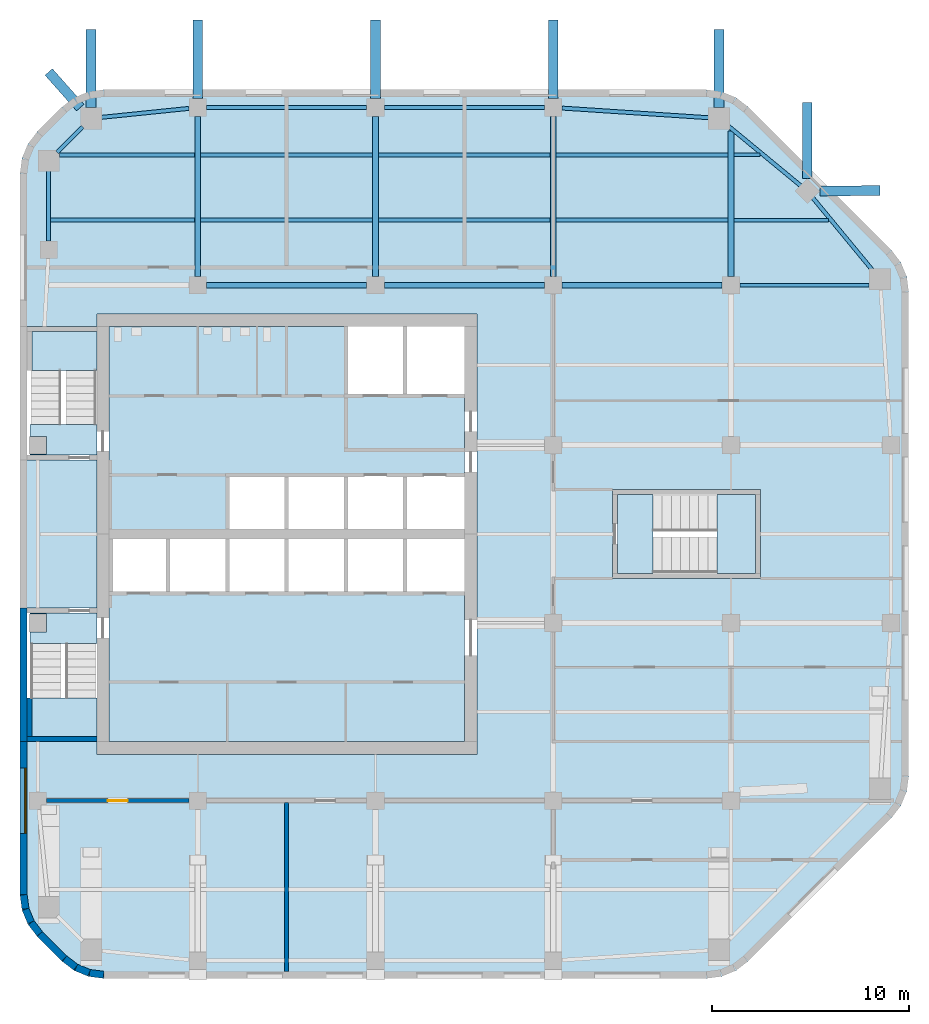
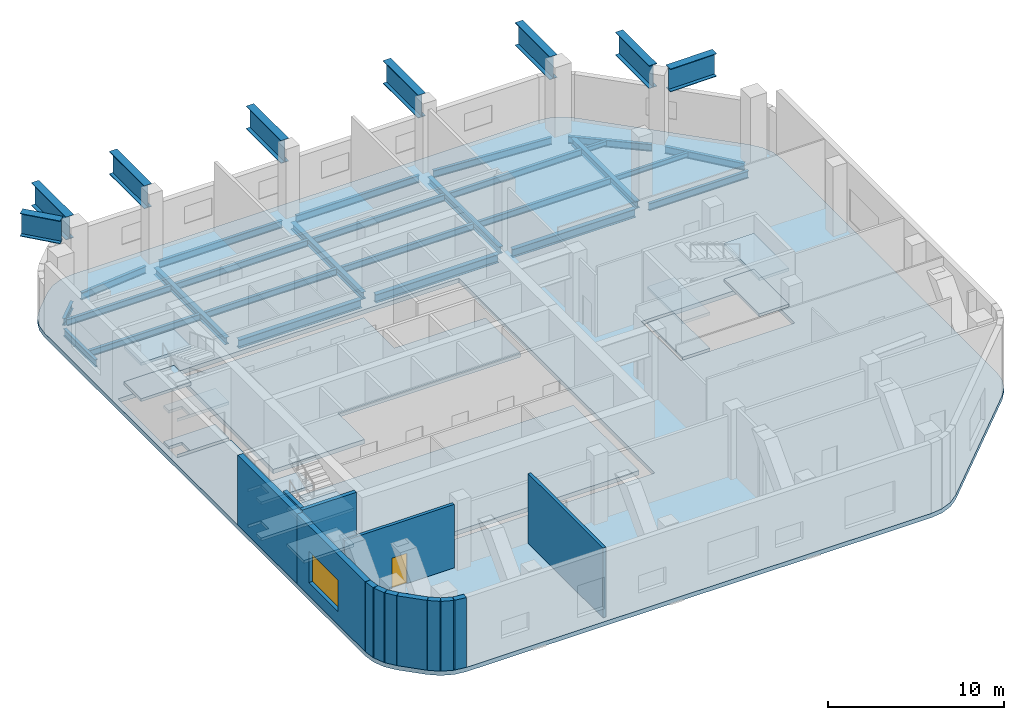
# One storey, part 2 of 8: 34 beams, 15 slabs, 13 walls, 1 door, 1 window, 2 openings, 3 elements without a shape of their own.
"""IFC4 building model written with IfcOpenShell, lengths in metres."""

import ifcopenshell
import ifcopenshell.guid

model = None  # the IFC model being written
_history = None  # IfcOwnerHistory: only IFC2X3 demands one
_inside = {}  # id of a spatial element -> (the spatial element, [elements in it])
_under = {}  # id of a project, library or spatial element -> (it, [spatial elements below it])
_declared = {}  # id of a project -> (the project, [libraries it declares])
_typed = {}  # id of a type object -> (the type object, [elements of that type])
_made_of = {}  # id of a material, layer set ... -> (it, [elements and type objects made of it])


def new_model(schema):
    """Start an empty IFC model of exactly this schema.

    Asked for "IFC4X3", IfcOpenShell would pick the latest addendum, in which some entities
    have other attributes; the version numbers below select the first issue.
    IFC2X3 requires an IfcOwnerHistory on every rooted entity: one is made here for all.
    """
    global model, _history
    if schema == "IFC4X3":
        model = ifcopenshell.file(schema_version=(4, 3, 0, 0))
    else:
        model = ifcopenshell.file(schema=schema)
    _inside.clear()
    _under.clear()
    _declared.clear()
    _typed.clear()
    _made_of.clear()
    _history = None
    if model.schema == "IFC2X3":
        org = make("IfcOrganization", Name="unknown")
        user = make(
            "IfcPersonAndOrganization",
            ThePerson=make("IfcPerson", FamilyName="unknown"),
            TheOrganization=org,
        )
        app = make(
            "IfcApplication",
            ApplicationDeveloper=org,
            Version="unknown",
            ApplicationFullName="unknown",
            ApplicationIdentifier="unknown",
        )
        _history = make(
            "IfcOwnerHistory",
            OwningUser=user,
            OwningApplication=app,
            ChangeAction="ADDED",
            CreationDate=0,
        )
    return model


def make(cls, **values):
    """One entity of the class cls with the attributes given. An attribute that is None is left unset."""
    return model.create_entity(
        cls, **{name: value for name, value in values.items() if value is not None}
    )


def rooted(cls, **values):
    """An entity with a GlobalId (a new one), such as an element, a storey or a relation."""
    return make(cls, GlobalId=ifcopenshell.guid.new(), OwnerHistory=_history, **values)


def si_unit(unit_type, name, prefix=None):
    """IfcSIUnit, for example si_unit("LENGTHUNIT", "METRE", prefix="MILLI")."""
    return make("IfcSIUnit", UnitType=unit_type, Prefix=prefix, Name=name)


def assignment(units):
    """IfcUnitAssignment: the units of a project."""
    return None if units is None else make("IfcUnitAssignment", Units=units)


def point(xyz):
    """IfcCartesianPoint."""
    return None if xyz is None else make("IfcCartesianPoint", Coordinates=xyz)


def direction(xyz):
    """IfcDirection."""
    return None if xyz is None else make("IfcDirection", DirectionRatios=xyz)


def frame(location, z_axis=None, x_axis=None):
    """IfcAxis2Placement3D, a coordinate frame: its origin and axes. An axis left out is left unset."""
    return make(
        "IfcAxis2Placement3D",
        Location=point(location),
        Axis=direction(z_axis),
        RefDirection=direction(x_axis),
    )


def frame_2d(location, x_axis=None):
    """IfcAxis2Placement2D, a coordinate frame in the plane: its origin and x axis."""
    return make(
        "IfcAxis2Placement2D", Location=point(location), RefDirection=direction(x_axis)
    )


def origin():
    """The frame at (0, 0, 0) with its axes left unset."""
    return frame((0.0, 0.0, 0.0))


def origin_2d():
    """The frame at (0, 0) in the plane with its x axis left unset."""
    return frame_2d((0.0, 0.0))


def place(relative_to, where):
    """IfcLocalPlacement: puts the frame where relative to a parent placement (None: the world)."""
    return make(
        "IfcLocalPlacement", PlacementRelTo=relative_to, RelativePlacement=where
    )


def context(
    kind, dimensions, precision=None, world=None, true_north=None, identifier=None
):
    """IfcGeometricRepresentationContext, for example the 3D "Model" context."""
    return make(
        "IfcGeometricRepresentationContext",
        ContextIdentifier=identifier,
        ContextType=kind,
        CoordinateSpaceDimension=dimensions,
        Precision=precision,
        WorldCoordinateSystem=world,
        TrueNorth=true_north,
    )


def subcontext(parent, identifier, kind, view, scale=None):
    """IfcGeometricRepresentationSubContext, for example "Body" below "Model"."""
    return make(
        "IfcGeometricRepresentationSubContext",
        ContextIdentifier=identifier,
        ContextType=kind,
        ParentContext=parent,
        TargetScale=scale,
        TargetView=view,
    )


def project(units=None, contexts=None):
    """IfcProject with its units and contexts."""
    return rooted(
        "IfcProject",
        Name="project",
        RepresentationContexts=contexts,
        UnitsInContext=assignment(units),
    )


def spatial(cls, under=None, at=None, **own):
    """A site, building, storey or space (cls), placed at a placement, below another one or the project."""
    s = rooted(cls, ObjectPlacement=at, **own)
    if under is not None:
        _under.setdefault(under.id(), (under, []))[1].append(s)
    return s


def polyline(points):
    """IfcPolyline through the points."""
    return make("IfcPolyline", Points=[point(p) for p in points])


def profile(cls, at=None, kind="AREA", **sizes):
    """A parametric profile (cls). Its sizes go by their IFC names, for example OverallWidth=200.0."""
    return make(cls, ProfileType=kind, Position=at, **sizes)


def rectangle(**sizes):
    """IfcRectangleProfileDef."""
    return profile("IfcRectangleProfileDef", **sizes)


def i_section(**sizes):
    """IfcIShapeProfileDef."""
    return profile("IfcIShapeProfileDef", **sizes)


def outline(outer, holes=None, kind="AREA"):
    """IfcArbitraryClosedProfileDef: a profile drawn as a closed curve; with holes, ...WithVoids."""
    if holes is None:
        return make("IfcArbitraryClosedProfileDef", ProfileType=kind, OuterCurve=outer)
    return make(
        "IfcArbitraryProfileDefWithVoids",
        ProfileType=kind,
        OuterCurve=outer,
        InnerCurves=holes,
    )


def extrude(swept, where, along, depth):
    """IfcExtrudedAreaSolid: the profile swept, set in the frame where, extruded along a direction by depth."""
    return make(
        "IfcExtrudedAreaSolid",
        SweptArea=swept,
        Position=where,
        ExtrudedDirection=direction(along),
        Depth=depth,
    )


def shape(context_of_items, identifier, shape_type, items):
    """IfcShapeRepresentation: the items that make up one representation, for example the "Body"."""
    return make(
        "IfcShapeRepresentation",
        ContextOfItems=context_of_items,
        RepresentationIdentifier=identifier,
        RepresentationType=shape_type,
        Items=items,
    )


def material(Name=None, Category=None):
    """IfcMaterial."""
    return make("IfcMaterial", Name=Name, Category=Category)


def layer(
    of_material, thickness, ventilated=None, Name=None, Category=None, Priority=None
):
    """IfcMaterialLayer: one layer of a wall or slab, of a material (None: an air gap)."""
    return make(
        "IfcMaterialLayer",
        Material=of_material,
        LayerThickness=thickness,
        IsVentilated=ventilated,
        Name=Name,
        Category=Category,
        Priority=Priority,
    )


def layer_set(layers, Name=None):
    """IfcMaterialLayerSet."""
    return make("IfcMaterialLayerSet", MaterialLayers=layers, LayerSetName=Name)


def material_profile(
    of_material, cross_section, Name=None, Category=None, Priority=None
):
    """IfcMaterialProfile: a cross section and its material."""
    return make(
        "IfcMaterialProfile",
        Name=Name,
        Material=of_material,
        Profile=cross_section,
        Priority=Priority,
        Category=Category,
    )


def profile_set(profiles, Name=None, composite=None):
    """IfcMaterialProfileSet."""
    return make(
        "IfcMaterialProfileSet",
        Name=Name,
        MaterialProfiles=profiles,
        CompositeProfile=composite,
    )


def made_of(thing, what):
    """Note that an element or type object is made of a material, layer set ...; save() writes the relation."""
    if what is not None:
        _made_of.setdefault(what.id(), (what, []))[1].append(thing)
    return thing


def type_object(cls, material=None, **own):
    """A type object (cls), such as IfcWallType, which elements share."""
    return made_of(rooted(cls, **own), material)


def element(
    cls,
    number,
    at=None,
    inside=None,
    cuts=None,
    type_object=None,
    material=None,
    context=None,
    identifier="Body",
    shape_type=None,
    held_by="IfcProductDefinitionShape",
    body=None,
    shapes=None,
    **own,
):
    """One element of the class cls, such as IfcWall. Its Tag is "e" and its number.

    at: its placement. inside: the storey or other place that contains it. cuts: it is an
    opening in that element (IfcRelVoidsElement). A single representation is given by context,
    identifier, shape_type and body (its items); several are given by shapes. held_by: the class
    of the entity that holds the representations. save() writes the other relations.
    """
    e = rooted(cls, Tag="e%d" % number, ObjectPlacement=at, **own)
    if body is not None:
        shapes = [shape(context, identifier, shape_type, body)]
    if shapes is not None:
        e.Representation = make(held_by, Representations=shapes)
    if inside is not None:
        _inside.setdefault(inside.id(), (inside, []))[1].append(e)
    if cuts is not None:
        rooted(
            "IfcRelVoidsElement", RelatingBuildingElement=cuts, RelatedOpeningElement=e
        )
    if type_object is not None:
        _typed.setdefault(type_object.id(), (type_object, []))[1].append(e)
    return made_of(e, material)


def fill(opening, filler):
    """IfcRelFillsElement: the door or window that sits in an opening."""
    return rooted(
        "IfcRelFillsElement",
        RelatingOpeningElement=opening,
        RelatedBuildingElement=filler,
    )


def aggregate(whole, parts):
    """IfcRelAggregates: a whole, such as a stair, and the parts it consists of."""
    return rooted("IfcRelAggregates", RelatingObject=whole, RelatedObjects=parts)


def save(model, path):
    """Write the relations noted so far, then the file.

    IfcRelAggregates (storeys below a building ...), IfcRelContainedInSpatialStructure (elements
    in a storey), IfcRelDefinesByType, IfcRelAssociatesMaterial and IfcRelDeclares: one each for
    every whole, place, type object, material and project.
    """
    for whole, parts in _under.values():
        aggregate(whole, parts)
    for where, things in _inside.values():
        rooted(
            "IfcRelContainedInSpatialStructure",
            RelatedElements=things,
            RelatingStructure=where,
        )
    for kind, things in _typed.values():
        rooted("IfcRelDefinesByType", RelatedObjects=things, RelatingType=kind)
    for what, things in _made_of.values():
        rooted("IfcRelAssociatesMaterial", RelatedObjects=things, RelatingMaterial=what)
    for by, libraries in _declared.values():
        rooted("IfcRelDeclares", RelatingContext=by, RelatedDefinitions=libraries)
    model.write(path)


model = new_model("IFC4")

# Units and contexts
model_context = context("Model", 3, precision=1e-05, world=origin(), true_north=direction((0.0, 1.0)))
body_context = subcontext(model_context, "Body", "Model", "MODEL_VIEW")
ifc_project = project(units=[si_unit("LENGTHUNIT", "METRE"), si_unit("AREAUNIT", "SQUARE_METRE"), si_unit("VOLUMEUNIT", "CUBIC_METRE"), si_unit("PLANEANGLEUNIT", "RADIAN"), si_unit("MASSUNIT", "GRAM", prefix="KILO")], contexts=[model_context])

# Site, building, storey
site_placement = place(None, origin())
site = spatial("IfcSite", under=ifc_project, at=site_placement, CompositionType="ELEMENT")
building_placement = place(site_placement, origin())
building = spatial("IfcBuilding", under=site, at=building_placement, Name="Cinnabar Reach Civic Tower", CompositionType="ELEMENT")
storey_placement = place(building_placement, frame((0.0, 0.0, 193.0)))
storey = spatial("IfcBuildingStorey", under=building, at=storey_placement, Name="L46", CompositionType="ELEMENT", Elevation=193.0)

# Beams
ifc_material_1 = material(Name="Steel Q355B", Category="steel")
ifc_material_profile_1 = material_profile(ifc_material_1, i_section(OverallWidth=0.3, OverallDepth=0.488, WebThickness=0.011, FlangeThickness=0.018, FilletRadius=0.016, at=origin_2d()), Name="HM488x300x11x18")
ifc_profile_set_1 = profile_set([ifc_material_profile_1], Name="Steel Q355B")
beam_type_1 = type_object("IfcBeamType", Name="HM488x300x11x18 beam R 180", PredefinedType="BEAM", material=ifc_profile_set_1)
for number, where, z_axis, x_axis, name in (
    (1, (9.0, 44.552, -0.544), (0.0, 1.0, 0.0), (-1.0, 0.0, 0.0), "Girder T1 L46 3"),
    (2, (18.0, 44.552, -0.544), (0.0, 1.0, 0.0), (-1.0, 0.0, 0.0), "Girder T1 L46 6"),
    (3, (27.0, 44.552, -0.544), (0.0, 1.0, 0.0), (-1.0, 0.0, 0.0), "Girder T1 L46 11"),
):
    element("IfcBeam", number, at=place(storey_placement, frame(where, z_axis=z_axis, x_axis=x_axis)), inside=storey, type_object=beam_type_1, Name=name, PredefinedType="BEAM", context=body_context, shape_type="SweptSolid", body=[
        extrude(i_section(OverallWidth=0.3, OverallDepth=0.488, WebThickness=0.011, FlangeThickness=0.018, FilletRadius=0.016, at=origin_2d()), origin(), (0.0, 0.0, 1.0), 8.096),
    ])
beam_1_placement = place(storey_placement, frame((36.0, 44.552, -0.544), z_axis=(0.0, 1.0, 0.0), x_axis=(-1.0, 0.0, 0.0)))
element("IfcBeam", 4, at=beam_1_placement, inside=storey, type_object=beam_type_1, Name="Girder T1 L46 17", PredefinedType="BEAM", context=body_context, shape_type="SweptSolid", body=[
    extrude(i_section(OverallWidth=0.3, OverallDepth=0.488, WebThickness=0.011, FlangeThickness=0.018, FilletRadius=0.016, at=origin_2d()), origin(), (0.0, 0.0, 1.0), 7.3662),
])
ifc_material_profile_2 = material_profile(ifc_material_1, i_section(OverallWidth=0.3, OverallDepth=0.588, WebThickness=0.012, FlangeThickness=0.02, FilletRadius=0.016, at=origin_2d()), Name="HM588x300x12x20")
ifc_profile_set_2 = profile_set([ifc_material_profile_2], Name="Steel Q355B")
beam_type_2 = type_object("IfcBeamType", Name="HM588x300x12x20 beam R 180", PredefinedType="BEAM", material=ifc_profile_set_2)
for number, where, z_axis, x_axis, name in (
    (5, (9.452, 44.1, -0.594), (1.0, 0.0, 0.0), (0.0, 1.0, 0.0), "Girder T1 L46 13"),
    (6, (18.452, 44.1, -0.594), (1.0, 0.0, 0.0), (0.0, 1.0, 0.0), "Girder T1 L46 14"),
    (7, (27.452, 44.1, -0.594), (1.0, 0.0, 0.0), (0.0, 1.0, 0.0), "Girder T1 L46 15"),
):
    element("IfcBeam", number, at=place(storey_placement, frame(where, z_axis=z_axis, x_axis=x_axis)), inside=storey, type_object=beam_type_2, Name=name, PredefinedType="BEAM", context=body_context, shape_type="SweptSolid", body=[
        extrude(i_section(OverallWidth=0.3, OverallDepth=0.588, WebThickness=0.012, FlangeThickness=0.02, FilletRadius=0.016, at=origin_2d()), origin(), (0.0, 0.0, 1.0), 8.096),
    ])
ifc_material_profile_3 = material_profile(ifc_material_1, i_section(OverallWidth=0.175, OverallDepth=0.35, WebThickness=0.007, FlangeThickness=0.011, FilletRadius=0.013, at=origin_2d()), Name="HN350x175x7x11")
ifc_profile_set_3 = profile_set([ifc_material_profile_3], Name="Steel Q355B")
beam_type_3 = type_object("IfcBeamType", Name="HN350x175x7x11 beam R 180", PredefinedType="BEAM", material=ifc_profile_set_3)
beam_2_placement = place(storey_placement, frame((36.152, 47.4, -0.475), z_axis=(1.0, 0.0, 0.0), x_axis=(0.0, 1.0, 0.0)))
element("IfcBeam", 8, at=beam_2_placement, inside=storey, type_object=beam_type_3, Name="Secondary beam T1 L46 20", PredefinedType="BEAM", context=body_context, shape_type="SweptSolid", body=[
    extrude(i_section(OverallWidth=0.175, OverallDepth=0.35, WebThickness=0.007, FlangeThickness=0.011, FilletRadius=0.013, at=origin_2d()), origin(), (0.0, 0.0, 1.0), 4.7866),
])
beam_3_placement = place(storey_placement, frame((36.152, 50.7, -0.475), z_axis=(1.0, 0.0, 0.0), x_axis=(0.0, 1.0, 0.0)))
element("IfcBeam", 9, at=beam_3_placement, inside=storey, type_object=beam_type_3, Name="Secondary beam T1 L46 25", PredefinedType="BEAM", context=body_context, shape_type="SweptSolid", body=[
    extrude(i_section(OverallWidth=0.175, OverallDepth=0.35, WebThickness=0.007, FlangeThickness=0.011, FilletRadius=0.013, at=origin_2d()), origin(), (0.0, 0.0, 1.0), 1.3249),
])
ifc_material_profile_4 = material_profile(ifc_material_1, i_section(OverallWidth=0.2, OverallDepth=0.45, WebThickness=0.009, FlangeThickness=0.014, FilletRadius=0.016, at=origin_2d()), Name="HN450x200x9x14")
ifc_profile_set_4 = profile_set([ifc_material_profile_4], Name="Steel Q355B")
beam_type_4 = type_object("IfcBeamType", Name="HN450x200x9x14 beam R 180", PredefinedType="BEAM", material=ifc_profile_set_4)
beam_4_placement = place(storey_placement, frame((1.5551, 47.4, -0.525), z_axis=(1.0, 0.0, 0.0), x_axis=(0.0, 1.0, 0.0)))
element("IfcBeam", 10, at=beam_4_placement, inside=storey, type_object=beam_type_4, Name="Secondary beam T1 L46 16", PredefinedType="BEAM", context=body_context, shape_type="SweptSolid", body=[
    extrude(i_section(OverallWidth=0.2, OverallDepth=0.45, WebThickness=0.009, FlangeThickness=0.014, FilletRadius=0.016, at=origin_2d()), origin(), (0.0, 0.0, 1.0), 7.2929),
])
for number, where, z_axis, x_axis, name in (
    (11, (9.152, 47.4, -0.525), (1.0, 0.0, 0.0), (0.0, 1.0, 0.0), "Secondary beam T1 L46 17"),
    (12, (18.152, 47.4, -0.525), (1.0, 0.0, 0.0), (0.0, 1.0, 0.0), "Secondary beam T1 L46 18"),
    (13, (27.152, 47.4, -0.525), (1.0, 0.0, 0.0), (0.0, 1.0, 0.0), "Secondary beam T1 L46 19"),
):
    element("IfcBeam", number, at=place(storey_placement, frame(where, z_axis=z_axis, x_axis=x_axis)), inside=storey, type_object=beam_type_4, Name=name, PredefinedType="BEAM", context=body_context, shape_type="SweptSolid", body=[
        extrude(i_section(OverallWidth=0.2, OverallDepth=0.45, WebThickness=0.009, FlangeThickness=0.014, FilletRadius=0.016, at=origin_2d()), origin(), (0.0, 0.0, 1.0), 8.696),
    ])
beam_5_placement = place(storey_placement, frame((2.0051, 50.7, -0.525), z_axis=(1.0, 0.0, 0.0), x_axis=(0.0, 1.0, 0.0)))
element("IfcBeam", 14, at=beam_5_placement, inside=storey, type_object=beam_type_4, Name="Secondary beam T1 L46 21", PredefinedType="BEAM", context=body_context, shape_type="SweptSolid", body=[
    extrude(i_section(OverallWidth=0.2, OverallDepth=0.45, WebThickness=0.009, FlangeThickness=0.014, FilletRadius=0.016, at=origin_2d()), origin(), (0.0, 0.0, 1.0), 6.8429),
])
for number, where, z_axis, x_axis, name in (
    (15, (9.152, 50.7, -0.525), (1.0, 0.0, 0.0), (0.0, 1.0, 0.0), "Secondary beam T1 L46 22"),
    (16, (18.152, 50.7, -0.525), (1.0, 0.0, 0.0), (0.0, 1.0, 0.0), "Secondary beam T1 L46 23"),
    (17, (27.152, 50.7, -0.525), (1.0, 0.0, 0.0), (0.0, 1.0, 0.0), "Secondary beam T1 L46 24"),
):
    element("IfcBeam", number, at=place(storey_placement, frame(where, z_axis=z_axis, x_axis=x_axis)), inside=storey, type_object=beam_type_4, Name=name, PredefinedType="BEAM", context=body_context, shape_type="SweptSolid", body=[
        extrude(i_section(OverallWidth=0.2, OverallDepth=0.45, WebThickness=0.009, FlangeThickness=0.014, FilletRadius=0.016, at=origin_2d()), origin(), (0.0, 0.0, 1.0), 8.696),
    ])
ifc_material_profile_5 = material_profile(ifc_material_1, i_section(OverallWidth=0.2, OverallDepth=0.5, WebThickness=0.01, FlangeThickness=0.016, FilletRadius=0.016, at=origin_2d()), Name="HN500x200x10x16")
ifc_profile_set_5 = profile_set([ifc_material_profile_5], Name="Steel Q355B")
beam_type_5 = type_object("IfcBeamType", Name="HN500x200x10x16 beam R 180", PredefinedType="BEAM", material=ifc_profile_set_5)
for number, where, z_axis, x_axis, name in (
    (18, (43.1906, 44.8301, -0.55), (-0.63630880182, 0.771434448755, 0.0), (-0.771434448755, -0.63630880182, 0.0), "Edge beam T1 L46 9"),
    (19, (39.5598, 49.1142, -0.55), (-0.771434448755, 0.63630880182, 0.0), (-0.63630880182, -0.771434448755, 0.0), "Edge beam T1 L46 10"),
):
    element("IfcBeam", number, at=place(storey_placement, frame(where, z_axis=z_axis, x_axis=x_axis)), inside=storey, type_object=beam_type_5, Name=name, PredefinedType="BEAM", context=body_context, shape_type="SweptSolid", body=[
        extrude(i_section(OverallWidth=0.2, OverallDepth=0.5, WebThickness=0.01, FlangeThickness=0.016, FilletRadius=0.016, at=origin_2d()), origin(), (0.0, 0.0, 1.0), 4.8348),
    ])
beam_6_placement = place(storey_placement, frame((34.9661, 52.5754, -0.55), z_axis=(-0.99783894477, 0.065707231721, 0.0), x_axis=(-0.065707231721, -0.99783894477, 0.0)))
element("IfcBeam", 20, at=beam_6_placement, inside=storey, type_object=beam_type_5, Name="Edge beam T1 L46 11", PredefinedType="BEAM", context=body_context, shape_type="SweptSolid", body=[
    extrude(i_section(OverallWidth=0.2, OverallDepth=0.5, WebThickness=0.01, FlangeThickness=0.016, FilletRadius=0.016, at=origin_2d()), origin(), (0.0, 0.0, 1.0), 7.5304),
])
for number, where, z_axis, x_axis, name in (
    (21, (26.548, 53.1, -0.55), (-1.0, 0.0, 0.0), (0.0, -1.0, 0.0), "Edge beam T1 L46 12"),
    (22, (17.548, 53.1, -0.55), (-1.0, 0.0, 0.0), (0.0, -1.0, 0.0), "Edge beam T1 L46 13"),
):
    element("IfcBeam", number, at=place(storey_placement, frame(where, z_axis=z_axis, x_axis=x_axis)), inside=storey, type_object=beam_type_5, Name=name, PredefinedType="BEAM", context=body_context, shape_type="SweptSolid", body=[
        extrude(i_section(OverallWidth=0.2, OverallDepth=0.5, WebThickness=0.01, FlangeThickness=0.016, FilletRadius=0.016, at=origin_2d()), origin(), (0.0, 0.0, 1.0), 8.096),
    ])
beam_7_placement = place(storey_placement, frame((8.548, 53.0537, -0.55), z_axis=(-0.994792272495, -0.101923179821, 0.0), x_axis=(0.101923179821, -0.994792272495, 0.0)))
element("IfcBeam", 23, at=beam_7_placement, inside=storey, type_object=beam_type_5, Name="Edge beam T1 L46 14", PredefinedType="BEAM", context=body_context, shape_type="SweptSolid", body=[
    extrude(i_section(OverallWidth=0.2, OverallDepth=0.5, WebThickness=0.01, FlangeThickness=0.016, FilletRadius=0.016, at=origin_2d()), origin(), (0.0, 0.0, 1.0), 4.5377),
])
beam_8_placement = place(storey_placement, frame((3.1699, 52.1149, -0.55), z_axis=(-0.707106781187, -0.707106781187, 0.0), x_axis=(0.707106781187, -0.707106781187, 0.0)))
element("IfcBeam", 24, at=beam_8_placement, inside=storey, type_object=beam_type_5, Name="Edge beam T1 L46 15", PredefinedType="BEAM", context=body_context, shape_type="SweptSolid", body=[
    extrude(i_section(OverallWidth=0.2, OverallDepth=0.5, WebThickness=0.01, FlangeThickness=0.016, FilletRadius=0.016, at=origin_2d()), origin(), (0.0, 0.0, 1.0), 1.817),
])
beam_9_placement = place(storey_placement, frame((1.4531, 49.9661, -0.55), z_axis=(0.0, -1.0, 0.0), x_axis=(1.0, 0.0, 0.0)))
element("IfcBeam", 25, at=beam_9_placement, inside=storey, type_object=beam_type_5, Name="Edge beam T1 L46 16", PredefinedType="BEAM", context=body_context, shape_type="SweptSolid", body=[
    extrude(i_section(OverallWidth=0.2, OverallDepth=0.5, WebThickness=0.01, FlangeThickness=0.016, FilletRadius=0.016, at=origin_2d()), origin(), (0.0, 0.0, 1.0), 3.616),
])
beam_10_placement = place(storey_placement, frame((36.452, 44.1, -0.55), z_axis=(1.0, 0.0, 0.0), x_axis=(0.0, 1.0, 0.0)))
element("IfcBeam", 26, at=beam_10_placement, inside=storey, type_object=beam_type_5, Name="Girder T1 L46 16", PredefinedType="BEAM", context=body_context, shape_type="SweptSolid", body=[
    extrude(i_section(OverallWidth=0.2, OverallDepth=0.5, WebThickness=0.01, FlangeThickness=0.016, FilletRadius=0.016, at=origin_2d()), origin(), (0.0, 0.0, 1.0), 6.5429),
])
ifc_material_profile_6 = material_profile(ifc_material_1, i_section(OverallWidth=0.5, OverallDepth=1.6, WebThickness=0.025, FlangeThickness=0.04, at=origin_2d()), Name="BH1600x500x25x40")
ifc_profile_set_6 = profile_set([ifc_material_profile_6], Name="Steel Q355B")
beam_type_6 = type_object("IfcBeamType", Name="TRANSFER BH1600x500x25x40 R 240", PredefinedType="BEAM", material=ifc_profile_set_6)
beam_11_placement = place(storey_placement, frame((40.5, 48.8636, 4.05), z_axis=(0.99993590118, 0.011322258227, 0.0), x_axis=(-0.011322258227, 0.99993590118, 0.0)))
element("IfcBeam", 27, at=beam_11_placement, inside=storey, type_object=beam_type_6, Name="TRANSFER girder T1-L46-TG-CC3", PredefinedType="BEAM", context=body_context, shape_type="SweptSolid", body=[
    extrude(i_section(OverallWidth=0.5, OverallDepth=1.6, WebThickness=0.025, FlangeThickness=0.04, at=origin_2d()), origin(), (0.0, 0.0, 1.0), 3.0471),
])
for number, where, z_axis, x_axis, name in (
    (28, (35.3981, 53.0969, 4.05), (0.0, 1.0, 0.0), (-1.0, 0.0, 0.0), "TRANSFER girder T1-L46-TG-CC4"),
    (29, (3.6019, 53.0969, 4.05), (0.0, 1.0, 0.0), (-1.0, 0.0, 0.0), "TRANSFER girder T1-L46-TG-CC5"),
):
    element("IfcBeam", number, at=place(storey_placement, frame(where, z_axis=z_axis, x_axis=x_axis)), inside=storey, type_object=beam_type_6, Name=name, PredefinedType="BEAM", context=body_context, shape_type="SweptSolid", body=[
        extrude(i_section(OverallWidth=0.5, OverallDepth=1.6, WebThickness=0.025, FlangeThickness=0.04, at=origin_2d()), origin(), (0.0, 0.0, 1.0), 3.95),
    ])
beam_12_placement = place(storey_placement, frame((3.0519, 53.0969, 4.05), z_axis=(-0.663837932555, 0.747876459919, 0.0), x_axis=(-0.747876459919, -0.663837932555, 0.0)))
element("IfcBeam", 30, at=beam_12_placement, inside=storey, type_object=beam_type_6, Name="TRANSFER girder T1-L46-TG-CC6", PredefinedType="BEAM", context=body_context, shape_type="SweptSolid", body=[
    extrude(i_section(OverallWidth=0.5, OverallDepth=1.6, WebThickness=0.025, FlangeThickness=0.04, at=origin_2d()), origin(), (0.0, 0.0, 1.0), 2.4084),
])
beam_13_placement = place(storey_placement, frame((39.8636, 49.5, 4.05), z_axis=(0.0, 1.0, 0.0), x_axis=(-1.0, 0.0, 0.0)))
element("IfcBeam", 31, at=beam_13_placement, inside=storey, type_object=beam_type_6, Name="TRANSFER girder T1-L46-TG-F3-M", PredefinedType="BEAM", context=body_context, shape_type="SweptSolid", body=[
    extrude(i_section(OverallWidth=0.5, OverallDepth=1.6, WebThickness=0.025, FlangeThickness=0.04, at=origin_2d()), origin(), (0.0, 0.0, 1.0), 3.8636),
])
for number, where, z_axis, x_axis, name in (
    (32, (9.0, 53.55, 4.05), (0.0, 1.0, 0.0), (-1.0, 0.0, 0.0), "TRANSFER girder T1-L46-TG-F4-1"),
    (33, (18.0, 53.55, 4.05), (0.0, 1.0, 0.0), (-1.0, 0.0, 0.0), "TRANSFER girder T1-L46-TG-F4-2"),
    (34, (27.0, 53.55, 4.05), (0.0, 1.0, 0.0), (-1.0, 0.0, 0.0), "TRANSFER girder T1-L46-TG-F4-3"),
):
    element("IfcBeam", number, at=place(storey_placement, frame(where, z_axis=z_axis, x_axis=x_axis)), inside=storey, type_object=beam_type_6, Name=name, PredefinedType="BEAM", context=body_context, shape_type="SweptSolid", body=[
        extrude(i_section(OverallWidth=0.5, OverallDepth=1.6, WebThickness=0.025, FlangeThickness=0.04, at=origin_2d()), origin(), (0.0, 0.0, 1.0), 3.98),
    ])

# Slab
ifc_material_2 = material(Name="Concrete C40", Category="concrete")
ifc_layer_1 = layer(ifc_material_2, 0.3)
ifc_layer_set_1 = layer_set([ifc_layer_1], Name="Refuge floor slab 300 REI 150")
slab_type_1 = type_object("IfcSlabType", Name="Refuge floor slab 300 REI 150", PredefinedType="FLOOR", material=ifc_layer_set_1)
slab_1_placement = place(storey_placement, frame((0.0, 0.0, -0.3)))
element("IfcSlab", 35, at=slab_1_placement, inside=storey, type_object=slab_type_1, Name="Refuge floor slab 300 T1 L46", PredefinedType="FLOOR", context=body_context, shape_type="SweptSolid", body=[
    extrude(outline(polyline([(0.8787, 11.1213), (0.4019, 11.7426), (0.1022, 12.4662), (0.0, 13.2426), (0.0, 49.7574), (0.1022, 50.5338), (0.4019, 51.2574), (0.8787, 51.8787), (2.1213, 53.1213), (2.7426, 53.5981), (3.4662, 53.8978), (4.2426, 54.0), (34.7574, 54.0), (35.5338, 53.8978), (36.2574, 53.5981), (36.8787, 53.1213), (44.1213, 45.8787), (44.5981, 45.2574), (44.8978, 44.5338), (45.0, 43.7574), (45.0, 19.2426), (44.8978, 18.4662), (44.5981, 17.7426), (44.1213, 17.1213), (36.8787, 9.8787), (36.2574, 9.4019), (35.5338, 9.1022), (34.7574, 9.0), (4.2426, 9.0), (3.4662, 9.1022), (2.7426, 9.4019), (2.1213, 9.8787), (0.8787, 11.1213)]), holes=[polyline([(0.36, 21.0), (3.9, 21.0), (3.9, 20.35), (23.15, 20.35), (23.15, 42.65), (3.9, 42.65), (3.9, 42.0), (0.36, 42.0), (0.36, 35.25), (3.9, 35.25), (3.9, 27.75), (0.36, 27.75), (0.36, 21.0)]), polyline([(30.0, 33.75), (30.0, 29.25), (37.5, 29.25), (37.5, 33.75), (30.0, 33.75)])]), origin(), (0.0, 0.0, 1.0), 0.3),
])

# Stair, slabs
ifc_material_3 = material(Name="Concrete C40/50", Category="concrete")
stair_type = type_object("IfcStairType", Name="T1 Exit stair, double return", PredefinedType="DOUBLE_RETURN_STAIR", material=ifc_material_3)
stair_1_placement = place(storey_placement, origin())
stair_1 = element("IfcStair", 36, at=stair_1_placement, inside=storey, type_object=stair_type, Name="Stair T1-S1", PredefinedType="DOUBLE_RETURN_STAIR")
ifc_layer_2 = layer(ifc_material_3, 0.2)
ifc_layer_set_2 = layer_set([ifc_layer_2], Name="T1 Stair landing 200, Concrete C40/50")
slab_type_2 = type_object("IfcSlabType", Name="T1 Stair landing 200, Concrete C40/50", PredefinedType="LANDING", material=ifc_layer_set_2)
slab_2_placement = place(storey_placement, frame((0.0, 0.0, -0.2)))
slab_2 = element("IfcSlab", 37, at=slab_2_placement, type_object=slab_type_2, Name="T1-S1 landing 1", PredefinedType="LANDING", context=body_context, shape_type="SweptSolid", body=[
    extrude(outline(polyline([(0.5, 27.5), (3.9, 27.5), (3.9, 25.95), (0.5, 25.95), (0.5, 26.55), (1.35, 26.55), (1.35, 27.45), (0.5, 27.45), (0.5, 27.5)])), origin(), (0.0, 0.0, 1.0), 0.2),
])
slab_3_placement = place(storey_placement, frame((0.0, 0.0, 1.05)))
slab_3 = element("IfcSlab", 38, at=slab_3_placement, type_object=slab_type_2, Name="T1-S1 landing 2", PredefinedType="LANDING", context=body_context, shape_type="SweptSolid", body=[
    extrude(outline(polyline([(0.6, 21.25), (0.6, 23.205), (3.9, 23.205), (3.9, 21.25), (0.6, 21.25)])), origin(), (0.0, 0.0, 1.0), 0.2),
])
slab_4_placement = place(storey_placement, frame((0.0, 0.0, 2.3)))
slab_4 = element("IfcSlab", 39, at=slab_4_placement, type_object=slab_type_2, Name="T1-S1 landing 3", PredefinedType="LANDING", context=body_context, shape_type="SweptSolid", body=[
    extrude(outline(polyline([(0.5, 27.5), (3.9, 27.5), (3.9, 25.95), (0.5, 25.95), (0.5, 26.55), (1.35, 26.55), (1.35, 27.45), (0.5, 27.45), (0.5, 27.5)])), origin(), (0.0, 0.0, 1.0), 0.2),
])
slab_5_placement = place(storey_placement, frame((0.0, 0.0, 3.55)))
slab_5 = element("IfcSlab", 40, at=slab_5_placement, type_object=slab_type_2, Name="T1-S1 landing 4", PredefinedType="LANDING", context=body_context, shape_type="SweptSolid", body=[
    extrude(outline(polyline([(0.6, 21.25), (0.6, 23.205), (3.9, 23.205), (3.9, 21.25), (0.6, 21.25)])), origin(), (0.0, 0.0, 1.0), 0.2),
])
aggregate(stair_1, [slab_2, slab_3, slab_4, slab_5])

stair_2_placement = place(storey_placement, origin())
stair_2 = element("IfcStair", 41, at=stair_2_placement, inside=storey, type_object=stair_type, Name="Stair T1-S2", PredefinedType="DOUBLE_RETURN_STAIR")
slab_6_placement = place(storey_placement, frame((0.0, 0.0, -0.2)))
slab_6 = element("IfcSlab", 42, at=slab_6_placement, type_object=slab_type_2, Name="T1-S2 landing 1", PredefinedType="LANDING", context=body_context, shape_type="SweptSolid", body=[
    extrude(outline(polyline([(0.5, 37.05), (3.9, 37.05), (3.9, 35.5), (0.5, 35.5), (0.5, 35.55), (1.35, 35.55), (1.35, 36.45), (0.5, 36.45), (0.5, 37.05)])), origin(), (0.0, 0.0, 1.0), 0.2),
])
slab_7_placement = place(storey_placement, frame((0.0, 0.0, 1.05)))
slab_7 = element("IfcSlab", 43, at=slab_7_placement, type_object=slab_type_2, Name="T1-S2 landing 2", PredefinedType="LANDING", context=body_context, shape_type="SweptSolid", body=[
    extrude(outline(polyline([(0.6, 39.795), (0.6, 41.75), (3.9, 41.75), (3.9, 39.795), (0.6, 39.795)])), origin(), (0.0, 0.0, 1.0), 0.2),
])
slab_8_placement = place(storey_placement, frame((0.0, 0.0, 2.3)))
slab_8 = element("IfcSlab", 44, at=slab_8_placement, type_object=slab_type_2, Name="T1-S2 landing 3", PredefinedType="LANDING", context=body_context, shape_type="SweptSolid", body=[
    extrude(outline(polyline([(0.5, 37.05), (3.9, 37.05), (3.9, 35.5), (0.5, 35.5), (0.5, 35.55), (1.35, 35.55), (1.35, 36.45), (0.5, 36.45), (0.5, 37.05)])), origin(), (0.0, 0.0, 1.0), 0.2),
])
slab_9_placement = place(storey_placement, frame((0.0, 0.0, 3.55)))
slab_9 = element("IfcSlab", 45, at=slab_9_placement, type_object=slab_type_2, Name="T1-S2 landing 4", PredefinedType="LANDING", context=body_context, shape_type="SweptSolid", body=[
    extrude(outline(polyline([(0.6, 39.795), (0.6, 41.75), (3.9, 41.75), (3.9, 39.795), (0.6, 39.795)])), origin(), (0.0, 0.0, 1.0), 0.2),
])
aggregate(stair_2, [slab_6, slab_7, slab_8, slab_9])

stair_3_placement = place(storey_placement, origin())
stair_3 = element("IfcStair", 46, at=stair_3_placement, inside=storey, type_object=stair_type, Name="Stair T1-S3", PredefinedType="DOUBLE_RETURN_STAIR")
slab_10_placement = place(storey_placement, frame((0.0, 0.0, -0.2)))
slab_10 = element("IfcSlab", 47, at=slab_10_placement, type_object=slab_type_2, Name="T1-S3 landing 1", PredefinedType="LANDING", context=body_context, shape_type="SweptSolid", body=[
    extrude(outline(polyline([(30.25, 29.5), (32.05, 29.5), (32.05, 33.5), (30.25, 33.5), (30.25, 29.5)])), origin(), (0.0, 0.0, 1.0), 0.2),
])
slab_11_placement = place(storey_placement, frame((0.0, 0.0, 1.05)))
slab_11 = element("IfcSlab", 48, at=slab_11_placement, type_object=slab_type_2, Name="T1-S3 landing 2", PredefinedType="LANDING", context=body_context, shape_type="SweptSolid", body=[
    extrude(outline(polyline([(35.29, 29.5), (37.25, 29.5), (37.25, 33.5), (35.29, 33.5), (35.29, 29.5)])), origin(), (0.0, 0.0, 1.0), 0.2),
])
slab_12_placement = place(storey_placement, frame((0.0, 0.0, 2.3)))
slab_12 = element("IfcSlab", 49, at=slab_12_placement, type_object=slab_type_2, Name="T1-S3 landing 3", PredefinedType="LANDING", context=body_context, shape_type="SweptSolid", body=[
    extrude(outline(polyline([(30.25, 29.5), (32.05, 29.5), (32.05, 33.5), (30.25, 33.5), (30.25, 29.5)])), origin(), (0.0, 0.0, 1.0), 0.2),
])
slab_13_placement = place(storey_placement, frame((0.0, 0.0, 3.55)))
slab_13 = element("IfcSlab", 50, at=slab_13_placement, type_object=slab_type_2, Name="T1-S3 landing 4", PredefinedType="LANDING", context=body_context, shape_type="SweptSolid", body=[
    extrude(outline(polyline([(35.29, 29.5), (37.25, 29.5), (37.25, 33.5), (35.29, 33.5), (35.29, 29.5)])), origin(), (0.0, 0.0, 1.0), 0.2),
])
aggregate(stair_3, [slab_10, slab_11, slab_12, slab_13])

# Slabs
ifc_layer_3 = layer(ifc_material_3, 0.3)
ifc_layer_set_3 = layer_set([ifc_layer_3], Name="T1 core floor slab 300")
slab_type_3 = type_object("IfcSlabType", Name="T1 core floor slab 300", PredefinedType="FLOOR", material=ifc_layer_set_3)
slab_14_placement = place(storey_placement, frame((0.0, 0.0, -0.3)))
element("IfcSlab", 51, at=slab_14_placement, inside=storey, type_object=slab_type_3, Name="Core floor slab L46", PredefinedType="FLOOR", context=body_context, shape_type="SweptSolid", body=[
    extrude(outline(polyline([(22.5, 21.0), (4.5, 21.0), (4.5, 28.5), (7.5, 28.5), (10.5, 28.5), (13.5, 28.5), (16.5, 28.5), (19.5, 28.5), (22.5, 28.5), (22.5, 21.0)])), origin(), (0.0, 0.0, 1.0), 0.3),
])
slab_15_placement = place(storey_placement, frame((0.0, 0.0, -0.3)))
element("IfcSlab", 52, at=slab_15_placement, inside=storey, type_object=slab_type_3, Name="Core floor slab L46", PredefinedType="FLOOR", context=body_context, shape_type="SweptSolid", body=[
    extrude(outline(polyline([(22.5, 34.5), (19.5, 34.5), (16.5, 34.5), (13.5, 34.5), (10.5, 34.5), (10.5, 31.5), (7.5, 31.5), (4.5, 31.5), (4.5, 42.0), (16.5, 42.0), (16.5, 38.5), (19.5, 38.5), (22.5, 38.5), (22.5, 34.5)])), origin(), (0.0, 0.0, 1.0), 0.3),
])

# Walls
ifc_material_4 = material(Name="Facing brick with insulated backing", Category="masonry")
ifc_layer_4 = layer(ifc_material_4, 0.36)
ifc_layer_set_4 = layer_set([ifc_layer_4], Name="Brick corner wall")
wall_type_1 = type_object("IfcWallType", Name="Brick corner wall", PredefinedType="STANDARD", material=ifc_layer_set_4)
for number, where, z_axis, x_axis, name in (
    (53, (0.183, 13.2314, 0.0), (0.0, 0.0, 1.0), (0.13055608231, -0.99144092581, 0.0), "Brick corner wall"),
    (54, (0.2819, 12.5027, 0.0), (0.0, 0.0, 1.0), (0.382702709855, -0.923871547278, 0.0), "Brick corner wall"),
):
    element("IfcWall", number, at=place(storey_placement, frame(where, z_axis=z_axis, x_axis=x_axis)), inside=storey, type_object=wall_type_1, Name=name, PredefinedType="STANDARD", context=body_context, shape_type="SweptSolid", body=[
        extrude(rectangle(XDim=0.7131, YDim=0.36, at=frame_2d((0.3565, 0.0))), origin(), (0.0, 0.0, 1.0), 4.85),
    ])
for number, where, z_axis, x_axis, name in (
    (55, (0.566, 11.8245, 0.0), (0.0, 0.0, 1.0), (0.608802368033, -0.793321924995, 0.0), "Brick corner wall"),
    (56, (2.2587, 10.0002, 0.0), (0.0, 0.0, 1.0), (0.793321924995, -0.608802368033, 0.0), "Brick corner wall"),
):
    element("IfcWall", number, at=place(storey_placement, frame(where, z_axis=z_axis, x_axis=x_axis)), inside=storey, type_object=wall_type_1, Name=name, PredefinedType="STANDARD", context=body_context, shape_type="SweptSolid", body=[
        extrude(rectangle(XDim=0.7132, YDim=0.36, at=frame_2d((0.3566, 0.0))), origin(), (0.0, 0.0, 1.0), 4.85),
    ])
for number, where, z_axis, x_axis, name in (
    (57, (2.8439, 9.5548, 0.0), (0.0, 0.0, 1.0), (0.923871547278, -0.382702709855, 0.0), "Brick corner wall"),
    (58, (3.5244, 9.2761, 0.0), (0.0, 0.0, 1.0), (0.99144092581, -0.13055608231, 0.0), "Brick corner wall"),
):
    element("IfcWall", number, at=place(storey_placement, frame(where, z_axis=z_axis, x_axis=x_axis)), inside=storey, type_object=wall_type_1, Name=name, PredefinedType="STANDARD", context=body_context, shape_type="SweptSolid", body=[
        extrude(rectangle(XDim=0.7131, YDim=0.36, at=frame_2d((0.3565, 0.0))), origin(), (0.0, 0.0, 1.0), 4.85),
    ])
ifc_layer_5 = layer(ifc_material_4, 0.36)
ifc_layer_set_5 = layer_set([ifc_layer_5], Name="Brick pier and spandrel wall")
wall_type_2 = type_object("IfcWallType", Name="Brick pier and spandrel wall", PredefinedType="STANDARD", material=ifc_layer_set_5)
wall_1_placement = place(storey_placement, frame((0.18, 27.75, 0.0), z_axis=(0.0, 0.0, 1.0), x_axis=(0.0, -1.0, 0.0)))
element("IfcWall", 59, at=wall_1_placement, inside=storey, type_object=wall_type_2, Name="Brick facade wall", PredefinedType="STANDARD", context=body_context, shape_type="SweptSolid", body=[
    extrude(rectangle(XDim=6.75, YDim=0.36, at=frame_2d((3.375, 0.0))), origin(), (0.0, 0.0, 1.0), 4.85),
])

# Wall, opening, window
wall_2_placement = place(storey_placement, frame((0.18, 21.0, 0.0), z_axis=(0.0, 0.0, 1.0), x_axis=(0.0, -1.0, 0.0)))
wall_2 = element("IfcWall", 60, at=wall_2_placement, inside=storey, type_object=wall_type_2, Name="Brick facade wall", PredefinedType="STANDARD", context=body_context, shape_type="SweptSolid", body=[
    extrude(rectangle(XDim=7.7574, YDim=0.36, at=frame_2d((3.8787, 0.0))), origin(), (0.0, 0.0, 1.0), 4.85),
])
opening_1_placement = place(wall_2_placement, frame((1.35, 0.0, 0.9)))
opening_1 = element("IfcOpeningElement", 61, at=opening_1_placement, cuts=wall_2, Name="Opening W1960", PredefinedType="OPENING", context=body_context, shape_type="SweptSolid", body=[
    extrude(rectangle(XDim=3.3, YDim=2.2, at=frame_2d((1.65, 1.1))), frame((0.0, 0.19, 0.0), z_axis=(0.0, -1.0, 0.0), x_axis=(1.0, 0.0, 0.0)), (0.0, 0.0, 1.0), 0.38),
])
ifc_material_5 = material(Name="Clear double glazing in aluminium frame", Category="aluminium")
window_type = type_object("IfcWindowType", Name="Deep-set window B", PartitioningType="SINGLE_PANEL", PredefinedType="WINDOW", material=ifc_material_5)
window_placement = place(opening_1_placement, origin())
window = element("IfcWindow", 62, at=window_placement, inside=storey, type_object=window_type, Name="Window west face", OverallHeight=2.2, OverallWidth=3.3, PartitioningType="SINGLE_PANEL", PredefinedType="WINDOW", context=body_context, shape_type="SweptSolid", body=[
    extrude(rectangle(XDim=3.3, YDim=2.2, at=frame_2d((1.65, 1.1))), frame((0.0, 0.13, 0.0), z_axis=(0.0, -1.0, 0.0), x_axis=(1.0, 0.0, 0.0)), (0.0, 0.0, 1.0), 0.06),
])
fill(opening_1, window)

# Wall
wall_3_placement = place(storey_placement, frame((1.006, 11.2486, 0.0), z_axis=(0.0, 0.0, 1.0), x_axis=(0.707106781187, -0.707106781187, 0.0)))
element("IfcWall", 63, at=wall_3_placement, inside=storey, type_object=wall_type_2, Name="Brick facade wall", PredefinedType="STANDARD", context=body_context, shape_type="SweptSolid", body=[
    extrude(rectangle(XDim=1.7573, YDim=0.36, at=frame_2d((0.8787, 0.0))), origin(), (0.0, 0.0, 1.0), 4.85),
])

# Wall, opening, door
ifc_layer_6 = layer(ifc_material_2, 0.2)
ifc_layer_set_6 = layer_set([ifc_layer_6], Name="Refuge compartment wall 200 T1")
wall_type_3 = type_object("IfcWallType", Name="Refuge compartment wall 200 T1", PredefinedType="PARTITIONING", material=ifc_layer_set_6)
wall_4_placement = place(storey_placement, frame((1.35, 18.0, 0.0), z_axis=(0.0, 0.0, 1.0), x_axis=(1.0, 0.0, 0.0)))
wall_4 = element("IfcWall", 64, at=wall_4_placement, inside=storey, type_object=wall_type_3, Name="Refuge compartment wall 1", PredefinedType="PARTITIONING", context=body_context, shape_type="SweptSolid", body=[
    extrude(rectangle(XDim=7.2, YDim=0.2, at=frame_2d((3.6, 0.0))), origin(), (0.0, 0.0, 1.0), 4.41),
])
opening_2_placement = place(wall_4_placement, frame((3.1, 0.0, 0.0)))
opening_2 = element("IfcOpeningElement", 65, at=opening_2_placement, cuts=wall_4, Name="Opening D4903", PredefinedType="OPENING", context=body_context, shape_type="SweptSolid", body=[
    extrude(rectangle(XDim=1.0, YDim=2.1, at=frame_2d((0.5, 1.05))), frame((0.0, 0.11, 0.0), z_axis=(0.0, -1.0, 0.0), x_axis=(1.0, 0.0, 0.0)), (0.0, 0.0, 1.0), 0.22),
])
ifc_material_6 = material(Name="Timber door leaf in steel frame", Category="steel")
door_type = type_object("IfcDoorType", Name="Refuge door 1000 x 2100 T1", OperationType="SINGLE_SWING_LEFT", PredefinedType="DOOR", material=ifc_material_6)
door_placement = place(opening_2_placement, origin())
door = element("IfcDoor", 66, at=door_placement, inside=storey, type_object=door_type, Name="Door D4903", OperationType="SINGLE_SWING_LEFT", OverallHeight=2.1, OverallWidth=1.0, PredefinedType="DOOR", context=body_context, shape_type="SweptSolid", body=[
    extrude(rectangle(XDim=1.0, YDim=2.1, at=frame_2d((0.5, 1.05))), frame((0.0, 0.025, 0.0), z_axis=(0.0, -1.0, 0.0), x_axis=(1.0, 0.0, 0.0)), (0.0, 0.0, 1.0), 0.05),
])
fill(opening_2, door)

# Walls
wall_5_placement = place(storey_placement, frame((13.5, 9.36, 0.0), z_axis=(0.0, 0.0, 1.0), x_axis=(0.0, 1.0, 0.0)))
element("IfcWall", 67, at=wall_5_placement, inside=storey, type_object=wall_type_3, Name="Refuge compartment wall 8", PredefinedType="PARTITIONING", context=body_context, shape_type="SweptSolid", body=[
    extrude(rectangle(XDim=8.54, YDim=0.2, at=frame_2d((4.27, 0.0))), origin(), (0.0, 0.0, 1.0), 4.85),
])
ifc_material_7 = material(Name="Concrete C60", Category="concrete")
ifc_layer_7 = layer(ifc_material_7, 0.25)
ifc_layer_set_7 = layer_set([ifc_layer_7], Name="Stair shaft wall 250 EI 120")
wall_type_4 = type_object("IfcWallType", Name="Stair shaft wall 250 EI 120", PredefinedType="SOLIDWALL", material=ifc_layer_set_7)
wall_6_placement = place(storey_placement, frame((0.36, 21.125, 0.0), z_axis=(0.0, 0.0, 1.0), x_axis=(1.0, 0.0, 0.0)))
element("IfcWall", 68, at=wall_6_placement, inside=storey, type_object=wall_type_4, Name="Stair shaft wall T1-S1 L46", PredefinedType="SOLIDWALL", context=body_context, shape_type="SweptSolid", body=[
    extrude(rectangle(XDim=3.54, YDim=0.25, at=frame_2d((1.77, 0.0))), origin(), (0.0, 0.0, 1.0), 5.0),
])
ifc_layer_8 = layer(ifc_material_3, 0.24)
ifc_layer_set_8 = layer_set([ifc_layer_8], Name="T1 landing bearer wall 240")
wall_type_5 = type_object("IfcWallType", Name="T1 landing bearer wall 240", PredefinedType="STANDARD", material=ifc_layer_set_8)
wall_7_placement = place(storey_placement, frame((0.48, 21.25, 0.0), z_axis=(0.0, 0.0, 1.0), x_axis=(0.0, 1.0, 0.0)))
element("IfcWall", 69, at=wall_7_placement, inside=storey, type_object=wall_type_5, Name="T1-S1 landing bearer wall", PredefinedType="STANDARD", context=body_context, shape_type="SweptSolid", body=[
    extrude(rectangle(XDim=1.955, YDim=0.24, at=frame_2d((0.9775, 0.0))), origin(), (0.0, 0.0, 1.0), 5.0),
])

save(model, "model.ifc")
